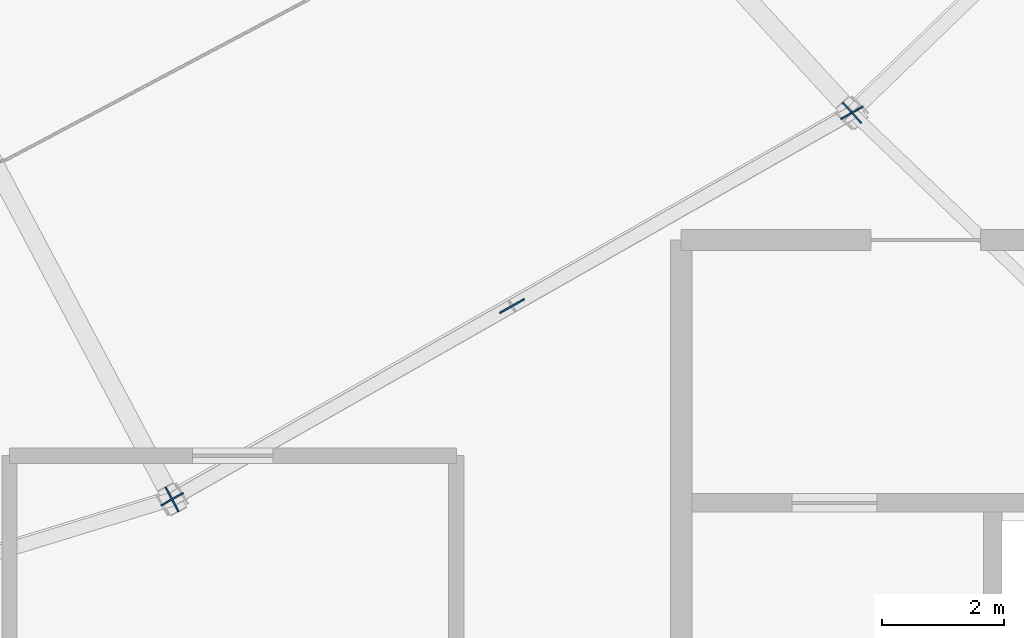
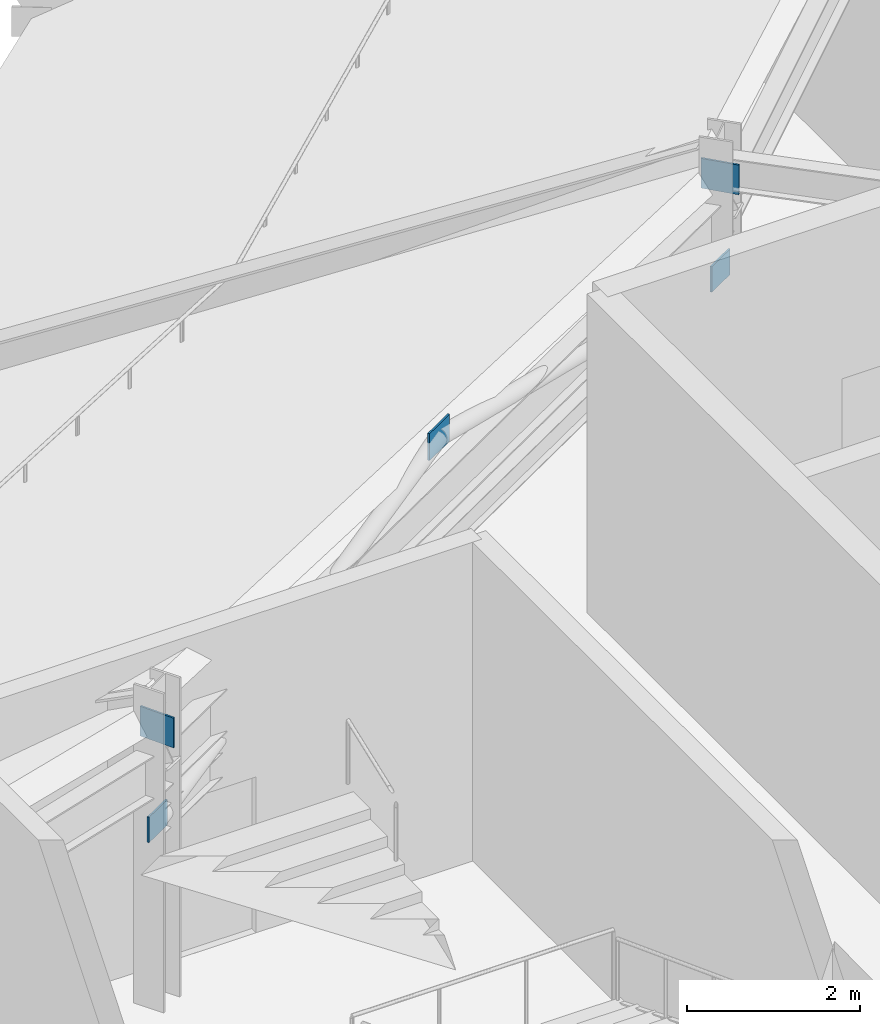
# One storey, part 22 of 63: 5 plates.
"""IFC4 building model written with IfcOpenShell, lengths in metres."""

from ifc_helpers import new_model, si_unit, direction, frame, origin, origin_2d, place, context, subcontext, project, spatial, rectangle, extrude, material, layer, layer_set, type_object, element, save


model = new_model("IFC4")

# Units and contexts
model_context = context("Model", 3, precision=1e-05, world=origin(), true_north=direction((0.0, 1.0)))
body_context = subcontext(model_context, "Body", "Model", "MODEL_VIEW")
ifc_project = project(units=[si_unit("LENGTHUNIT", "METRE"), si_unit("AREAUNIT", "SQUARE_METRE"), si_unit("VOLUMEUNIT", "CUBIC_METRE"), si_unit("PLANEANGLEUNIT", "RADIAN"), si_unit("MASSUNIT", "GRAM", prefix="KILO")], contexts=[model_context])

# Site, building, storey
site_placement = place(None, origin())
site = spatial("IfcSite", under=ifc_project, at=site_placement, CompositionType="ELEMENT")
building_placement = place(site_placement, origin())
building = spatial("IfcBuilding", under=site, at=building_placement, Name="Kalgoora Escarpment Arena", CompositionType="ELEMENT")
storey_placement = place(building_placement, frame((0.0, 0.0, 14.39990234375)))
storey = spatial("IfcBuildingStorey", under=building, at=storey_placement, Name="L03", CompositionType="ELEMENT", Elevation=14.39990234375)

# Plates
ifc_material = material(Name="Structural steel Grade 350 (350 MPa)", Category="steel")
ifc_layer = layer(ifc_material, 0.02490234375)
ifc_layer_set = layer_set([ifc_layer], Name="PLT-GUSSET-25")
plate_type = type_object("IfcPlateType", Name="PLT-GUSSET-25", PredefinedType="USERDEFINED", material=ifc_layer_set)
for number, where, z_axis, x_axis, name in (
    (1, (119.39990234375, 29.35888671875, 3.64013671875), (0.0, 0.0, 1.0), (0.467775560934, -0.883847285787, 0.0), "Upper bowl raker wall embedment plate R21"),
    (2, (130.583740234375, 35.7158203125, 3.64013671875), (0.0, 0.0, 1.0), (0.675718876495, -0.737159412846, 0.0), "Upper bowl raker wall embedment plate R22"),
):
    element("IfcPlate", number, at=place(storey_placement, frame(where, z_axis=z_axis, x_axis=x_axis)), inside=storey, type_object=plate_type, Name=name, ObjectType="FLANGE PLATE", PredefinedType="USERDEFINED", context=body_context, shape_type="SweptSolid", body=[
        extrude(rectangle(XDim=0.4599609375, YDim=0.02490234375, at=origin_2d()), origin(), (0.0, 0.0, 1.0), 0.419921875),
    ])
plate_placement = place(storey_placement, frame((124.991943359375, 32.537353515625, 3.860107421875), z_axis=(0.0, 0.0, 1.0), x_axis=(0.869408707144, 0.494093614554, 0.0)))
element("IfcPlate", 3, at=plate_placement, inside=storey, type_object=plate_type, Name="L03 chevron gusset cap plate R21", ObjectType="FLANGE PLATE", PredefinedType="USERDEFINED", context=body_context, shape_type="SweptSolid", body=[
    extrude(rectangle(XDim=0.4599609375, YDim=0.02490234375, at=origin_2d()), origin(), (0.0, 0.0, 1.0), 0.3798828125),
])
for number, where, z_axis, x_axis, name in (
    (4, (119.39990234375, 29.35888671875, 2.33984375), (0.0, 0.0, 1.0), (0.869494929505, 0.493941866584, 0.0), "Brace and post end gusset plate 031"),
    (5, (130.583740234375, 35.7158203125, 2.33984375), (0.0, 0.0, 1.0), (-0.869494929505, -0.493941866584, 0.0), "Brace and post end gusset plate 032"),
):
    element("IfcPlate", number, at=place(storey_placement, frame(where, z_axis=z_axis, x_axis=x_axis)), inside=storey, type_object=plate_type, Name=name, ObjectType="FLANGE PLATE", PredefinedType="USERDEFINED", context=body_context, shape_type="SweptSolid", body=[
        extrude(rectangle(XDim=0.419921875, YDim=0.02490234375, at=origin_2d()), origin(), (0.0, 0.0, 1.0), 0.360107421875),
    ])

save(model, "model.ifc")
